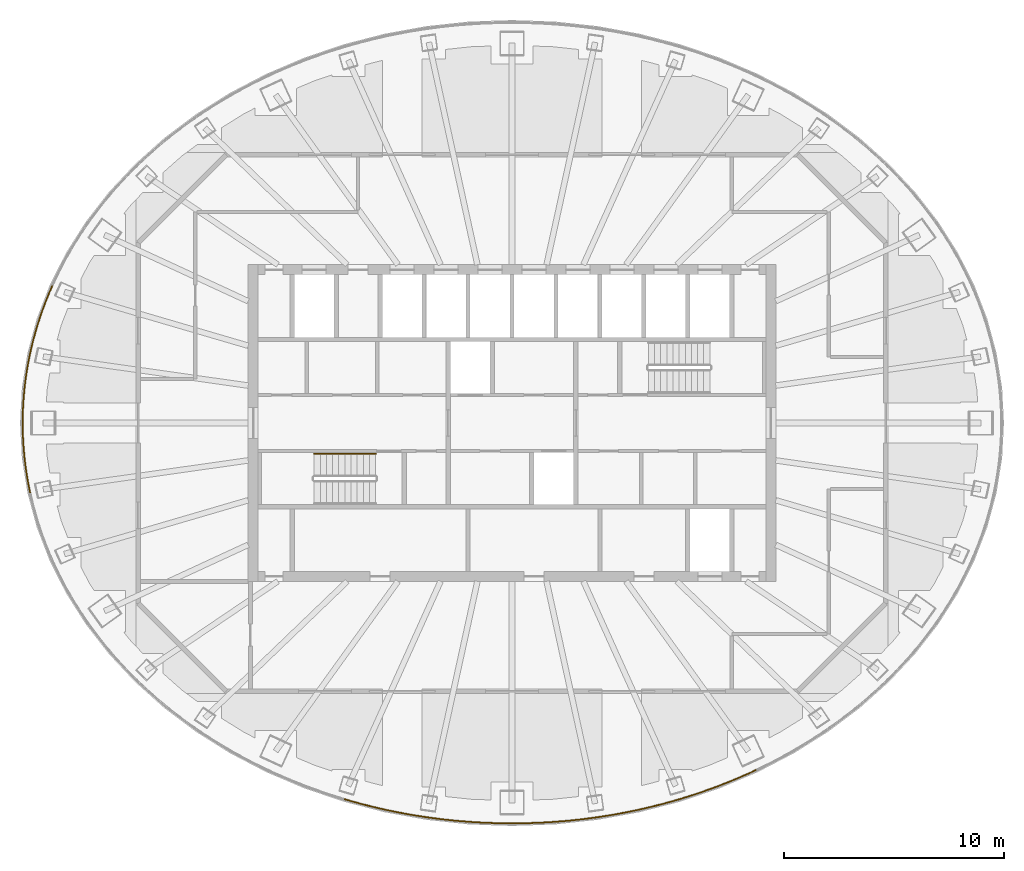
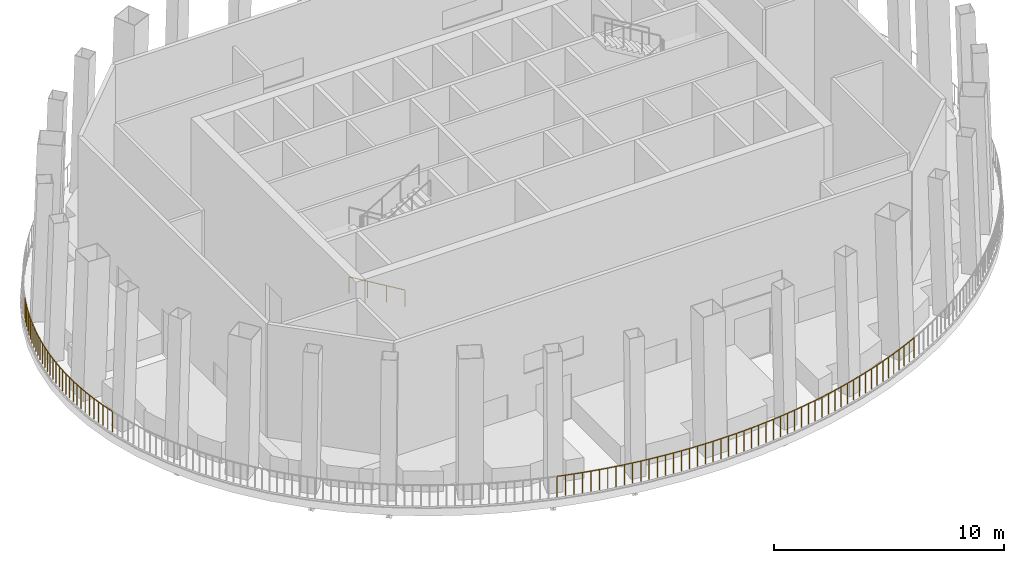
# One storey, part 8 of 12: 9 railings.
"""IFC4 building model written with IfcOpenShell, lengths in metres."""

from ifc_helpers import new_model, si_unit, direction, frame, origin, origin_2d, place, context, subcontext, project, spatial, circle, extrude, material, type_object, element, save


model = new_model("IFC4")

# Units and contexts
model_context = context("Model", 3, precision=1e-05, world=origin(), true_north=direction((0.0, 1.0)))
body_context = subcontext(model_context, "Body", "Model", "MODEL_VIEW")
ifc_project = project(units=[si_unit("LENGTHUNIT", "METRE"), si_unit("AREAUNIT", "SQUARE_METRE"), si_unit("VOLUMEUNIT", "CUBIC_METRE"), si_unit("PLANEANGLEUNIT", "RADIAN"), si_unit("MASSUNIT", "GRAM", prefix="KILO")], contexts=[model_context])

# Site, building, storey
site_placement = place(None, origin())
site = spatial("IfcSite", under=ifc_project, at=site_placement, CompositionType="ELEMENT")
building_placement = place(site_placement, origin())
building = spatial("IfcBuilding", under=site, at=building_placement, Name="Siaravel Broadcast Tower", CompositionType="ELEMENT")
storey_placement = place(building_placement, frame((0.0, 0.0, 205.199951171875)))
storey = spatial("IfcBuildingStorey", under=building, at=storey_placement, Name="L50", CompositionType="ELEMENT", Elevation=205.199951171875)

# Railings
ifc_material_1 = material(Name="Steel S355", Category="steel")
railing_type_1 = type_object("IfcRailingType", Name="Guard 1100", PredefinedType="GUARDRAIL", material=ifc_material_1)
railing_1_placement = place(storey_placement, frame((-20.913818359375, 6.227783203125, 0.080078125)))
element("IfcRailing", 1, at=railing_1_placement, inside=storey, type_object=railing_type_1, Name="L50 sky garden guard 17", PredefinedType="GUARDRAIL", context=body_context, shape_type="SweptSolid", body=[
    extrude(circle(Radius=0.02392578125, at=origin_2d()), frame((0.0, 0.0, 1.076171875), z_axis=(-0.397523557, -0.917591969, 0.0), x_axis=(0.917591969, -0.397523557, 0.0)), (0.0, 0.0, 1.0), 0.32666015625),
    extrude(circle(Radius=0.02392578125, at=origin_2d()), frame((-0.1298828125, -0.2998046875, 1.076171875), z_axis=(-0.378106972, -0.925761912, 0.0), x_axis=(0.925761912, -0.378106972, 0.0)), (0.0, 0.0, 1.0), 0.325439453125),
    extrude(circle(Radius=0.02392578125, at=origin_2d()), frame((-0.2529296875, -0.60107421875, 1.076171875), z_axis=(-0.360087073, -0.9329187, 0.0), x_axis=(0.9329187, -0.360087073, 0.0)), (0.0, 0.0, 1.0), 0.32470703125),
    extrude(circle(Radius=0.02392578125, at=origin_2d()), frame((-0.369873046875, -0.904052734375, 1.076171875), z_axis=(-0.339866672, -0.940473628, 0.0), x_axis=(0.940473628, -0.339866672, 0.0)), (0.0, 0.0, 1.0), 0.323974609375),
    extrude(circle(Radius=0.02392578125, at=origin_2d()), frame((-0.47998046875, -1.208740234375, 1.076171875), z_axis=(-0.321429253, -0.946933596, 0.0), x_axis=(0.946933596, -0.321429253, 0.0)), (0.0, 0.0, 1.0), 0.323486328125),
    extrude(circle(Radius=0.02392578125, at=origin_2d()), frame((-0.583984375, -1.51513671875, 1.076171875), z_axis=(-0.301203806, -0.953559787, 0.0), x_axis=(0.953559787, -0.301203806, 0.0)), (0.0, 0.0, 1.0), 0.322509765625),
    extrude(circle(Radius=0.02392578125, at=origin_2d()), frame((-0.68115234375, -1.82275390625, 1.076171875), z_axis=(-0.281920134, -0.959437876, 0.0), x_axis=(0.959437876, -0.281920134, 0.0)), (0.0, 0.0, 1.0), 0.322265625),
    extrude(circle(Radius=0.02392578125, at=origin_2d()), frame((-0.77197265625, -2.1318359375, 1.076171875), z_axis=(-0.261444979, -0.965218381, 0.0), x_axis=(0.965218381, -0.261444979, 0.0)), (0.0, 0.0, 1.0), 0.3212890625),
    extrude(circle(Radius=0.02392578125, at=origin_2d()), frame((-0.85595703125, -2.44189453125, 1.076171875), z_axis=(-0.241103682, -0.970499363, 0.0), x_axis=(0.970499363, -0.241103682, 0.0)), (0.0, 0.0, 1.0), 0.321044921875),
    extrude(circle(Radius=0.02392578125, at=origin_2d()), frame((-0.933349609375, -2.75341796875, 1.076171875), z_axis=(-0.220962402, -0.975282327, 0.0), x_axis=(0.975282327, -0.220962402, 0.0)), (0.0, 0.0, 1.0), 0.3203125),
    extrude(circle(Radius=0.02099609375, at=origin_2d()), origin(), (0.0, 0.0, 1.0), 1.052001953125),
    extrude(circle(Radius=0.02099609375, at=origin_2d()), frame((-0.1298828125, -0.2998046875, 0.0)), (0.0, 0.0, 1.0), 1.052001953125),
    extrude(circle(Radius=0.02099609375, at=origin_2d()), frame((-0.2529296875, -0.60107421875, 0.0)), (0.0, 0.0, 1.0), 1.052001953125),
    extrude(circle(Radius=0.02099609375, at=origin_2d()), frame((-0.369873046875, -0.904052734375, 0.0)), (0.0, 0.0, 1.0), 1.052001953125),
    extrude(circle(Radius=0.02099609375, at=origin_2d()), frame((-0.47998046875, -1.208740234375, 0.0)), (0.0, 0.0, 1.0), 1.052001953125),
    extrude(circle(Radius=0.02099609375, at=origin_2d()), frame((-0.583984375, -1.51513671875, 0.0)), (0.0, 0.0, 1.0), 1.052001953125),
    extrude(circle(Radius=0.02099609375, at=origin_2d()), frame((-0.68115234375, -1.82275390625, 0.0)), (0.0, 0.0, 1.0), 1.052001953125),
    extrude(circle(Radius=0.02099609375, at=origin_2d()), frame((-0.77197265625, -2.1318359375, 0.0)), (0.0, 0.0, 1.0), 1.052001953125),
    extrude(circle(Radius=0.02099609375, at=origin_2d()), frame((-0.85595703125, -2.44189453125, 0.0)), (0.0, 0.0, 1.0), 1.052001953125),
    extrude(circle(Radius=0.02099609375, at=origin_2d()), frame((-0.933349609375, -2.75341796875, 0.0)), (0.0, 0.0, 1.0), 1.052001953125),
    extrude(circle(Radius=0.02099609375, at=origin_2d()), frame((-1.004150390625, -3.06591796875, 0.0)), (0.0, 0.0, 1.0), 1.052001953125),
])
railing_2_placement = place(storey_placement, frame((-21.91796875, 3.161865234375, 0.080078125)))
element("IfcRailing", 2, at=railing_2_placement, inside=storey, type_object=railing_type_1, Name="L50 sky garden guard 18", PredefinedType="GUARDRAIL", context=body_context, shape_type="SweptSolid", body=[
    extrude(circle(Radius=0.02392578125, at=origin_2d()), frame((0.0, 0.0, 1.076171875), z_axis=(-0.200662533, -0.979660425, 0.0), x_axis=(0.979660425, -0.200662533, 0.0)), (0.0, 0.0, 1.0), 0.320068359375),
    extrude(circle(Radius=0.02392578125, at=origin_2d()), frame((-0.064208984375, -0.3134765625, 1.076171875), z_axis=(-0.179625291, -0.983735104, 0.0), x_axis=(0.983735104, -0.179625291, 0.0)), (0.0, 0.0, 1.0), 0.3193359375),
    extrude(circle(Radius=0.02392578125, at=origin_2d()), frame((-0.12158203125, -0.627685546875, 1.076171875), z_axis=(-0.158318615, -0.987388078, 0.0), x_axis=(0.987388078, -0.158318615, 0.0)), (0.0, 0.0, 1.0), 0.319091796875),
    extrude(circle(Radius=0.02392578125, at=origin_2d()), frame((-0.172119140625, -0.94287109375, 1.076171875), z_axis=(-0.13863282, -0.99034385, 0.0), x_axis=(0.99034385, -0.13863282, 0.0)), (0.0, 0.0, 1.0), 0.31884765625),
    extrude(circle(Radius=0.02392578125, at=origin_2d()), frame((-0.21630859375, -1.258544921875, 1.076171875), z_axis=(-0.116485527, -0.993192389, 0.0), x_axis=(0.993192389, -0.116485527, 0.0)), (0.0, 0.0, 1.0), 0.318603515625),
    extrude(circle(Radius=0.02392578125, at=origin_2d()), frame((-0.25341796875, -1.574951171875, 1.076171875), z_axis=(-0.095931757, -0.995387913, 0.0), x_axis=(0.995387913, -0.095931757, 0.0)), (0.0, 0.0, 1.0), 0.318115234375),
    extrude(circle(Radius=0.02392578125, at=origin_2d()), frame((-0.283935546875, -1.8916015625, 1.076171875), z_axis=(-0.074408539, -0.997227842, 0.0), x_axis=(0.997227842, -0.074408539, 0.0)), (0.0, 0.0, 1.0), 0.318359375),
    extrude(circle(Radius=0.02392578125, at=origin_2d()), frame((-0.3076171875, -2.208984375, 1.076171875), z_axis=(-0.053002318, -0.998594389, 0.0), x_axis=(0.998594389, -0.053002318, 0.0)), (0.0, 0.0, 1.0), 0.31787109375),
    extrude(circle(Radius=0.02392578125, at=origin_2d()), frame((-0.324462890625, -2.5263671875, 1.076171875), z_axis=(-0.03226605, -0.999479315, 0.0), x_axis=(0.999479315, -0.03226605, 0.0)), (0.0, 0.0, 1.0), 0.31787109375),
    extrude(circle(Radius=0.02392578125, at=origin_2d()), frame((-0.334716796875, -2.843994140625, 1.076171875), z_axis=(-0.010752067, -0.999942195, 0.0), x_axis=(0.999942195, -0.010752067, 0.0)), (0.0, 0.0, 1.0), 0.31787109375),
    extrude(circle(Radius=0.02099609375, at=origin_2d()), origin(), (0.0, 0.0, 1.0), 1.052001953125),
    extrude(circle(Radius=0.02099609375, at=origin_2d()), frame((-0.064208984375, -0.3134765625, 0.0)), (0.0, 0.0, 1.0), 1.052001953125),
    extrude(circle(Radius=0.02099609375, at=origin_2d()), frame((-0.12158203125, -0.627685546875, 0.0)), (0.0, 0.0, 1.0), 1.052001953125),
    extrude(circle(Radius=0.02099609375, at=origin_2d()), frame((-0.172119140625, -0.94287109375, 0.0)), (0.0, 0.0, 1.0), 1.052001953125),
    extrude(circle(Radius=0.02099609375, at=origin_2d()), frame((-0.21630859375, -1.258544921875, 0.0)), (0.0, 0.0, 1.0), 1.052001953125),
    extrude(circle(Radius=0.02099609375, at=origin_2d()), frame((-0.25341796875, -1.574951171875, 0.0)), (0.0, 0.0, 1.0), 1.052001953125),
    extrude(circle(Radius=0.02099609375, at=origin_2d()), frame((-0.283935546875, -1.8916015625, 0.0)), (0.0, 0.0, 1.0), 1.052001953125),
    extrude(circle(Radius=0.02099609375, at=origin_2d()), frame((-0.3076171875, -2.208984375, 0.0)), (0.0, 0.0, 1.0), 1.052001953125),
    extrude(circle(Radius=0.02099609375, at=origin_2d()), frame((-0.324462890625, -2.5263671875, 0.0)), (0.0, 0.0, 1.0), 1.052001953125),
    extrude(circle(Radius=0.02099609375, at=origin_2d()), frame((-0.334716796875, -2.843994140625, 0.0)), (0.0, 0.0, 1.0), 1.052001953125),
    extrude(circle(Radius=0.02099609375, at=origin_2d()), frame((-0.338134765625, -3.161865234375, 0.0)), (0.0, 0.0, 1.0), 1.052001953125),
])
railing_3_placement = place(storey_placement, frame((-22.256103515625, 0.0, 0.080078125)))
element("IfcRailing", 3, at=railing_3_placement, inside=storey, type_object=railing_type_1, Name="L50 sky garden guard 19", PredefinedType="GUARDRAIL", context=body_context, shape_type="SweptSolid", body=[
    extrude(circle(Radius=0.02392578125, at=origin_2d()), frame((0.0, 0.0, 1.076171875), z_axis=(0.010752067, -0.999942195, 0.0), x_axis=(0.999942195, 0.010752067, 0.0)), (0.0, 0.0, 1.0), 0.31787109375),
    extrude(circle(Radius=0.02392578125, at=origin_2d()), frame((0.00341796875, -0.31787109375, 1.076171875), z_axis=(0.03226605, -0.999479315, 0.0), x_axis=(0.999479315, 0.03226605, 0.0)), (0.0, 0.0, 1.0), 0.31787109375),
    extrude(circle(Radius=0.02392578125, at=origin_2d()), frame((0.013671875, -0.635498046875, 1.076171875), z_axis=(0.053002318, -0.998594389, 0.0), x_axis=(0.998594389, 0.053002318, 0.0)), (0.0, 0.0, 1.0), 0.31787109375),
    extrude(circle(Radius=0.02392578125, at=origin_2d()), frame((0.030517578125, -0.952880859375, 1.076171875), z_axis=(0.074408539, -0.997227842, 0.0), x_axis=(0.997227842, 0.074408539, 0.0)), (0.0, 0.0, 1.0), 0.318359375),
    extrude(circle(Radius=0.02392578125, at=origin_2d()), frame((0.05419921875, -1.270263671875, 1.076171875), z_axis=(0.095931757, -0.995387913, 0.0), x_axis=(0.995387913, 0.095931757, 0.0)), (0.0, 0.0, 1.0), 0.318115234375),
    extrude(circle(Radius=0.02392578125, at=origin_2d()), frame((0.084716796875, -1.5869140625, 1.076171875), z_axis=(0.116485527, -0.993192389, 0.0), x_axis=(0.993192389, 0.116485527, 0.0)), (0.0, 0.0, 1.0), 0.318603515625),
    extrude(circle(Radius=0.02392578125, at=origin_2d()), frame((0.121826171875, -1.9033203125, 1.076171875), z_axis=(0.13863282, -0.99034385, 0.0), x_axis=(0.99034385, 0.13863282, 0.0)), (0.0, 0.0, 1.0), 0.31884765625),
    extrude(circle(Radius=0.02392578125, at=origin_2d()), frame((0.166015625, -2.218994140625, 1.076171875), z_axis=(0.158318615, -0.987388078, 0.0), x_axis=(0.987388078, 0.158318615, 0.0)), (0.0, 0.0, 1.0), 0.319091796875),
    extrude(circle(Radius=0.02392578125, at=origin_2d()), frame((0.216552734375, -2.5341796875, 1.076171875), z_axis=(0.179625291, -0.983735104, 0.0), x_axis=(0.983735104, 0.179625291, 0.0)), (0.0, 0.0, 1.0), 0.3193359375),
    extrude(circle(Radius=0.02392578125, at=origin_2d()), frame((0.27392578125, -2.848388671875, 1.076171875), z_axis=(0.200662533, -0.979660425, 0.0), x_axis=(0.979660425, 0.200662533, 0.0)), (0.0, 0.0, 1.0), 0.320068359375),
    extrude(circle(Radius=0.02099609375, at=origin_2d()), origin(), (0.0, 0.0, 1.0), 1.052001953125),
    extrude(circle(Radius=0.02099609375, at=origin_2d()), frame((0.00341796875, -0.31787109375, 0.0)), (0.0, 0.0, 1.0), 1.052001953125),
    extrude(circle(Radius=0.02099609375, at=origin_2d()), frame((0.013671875, -0.635498046875, 0.0)), (0.0, 0.0, 1.0), 1.052001953125),
    extrude(circle(Radius=0.02099609375, at=origin_2d()), frame((0.030517578125, -0.952880859375, 0.0)), (0.0, 0.0, 1.0), 1.052001953125),
    extrude(circle(Radius=0.02099609375, at=origin_2d()), frame((0.05419921875, -1.270263671875, 0.0)), (0.0, 0.0, 1.0), 1.052001953125),
    extrude(circle(Radius=0.02099609375, at=origin_2d()), frame((0.084716796875, -1.5869140625, 0.0)), (0.0, 0.0, 1.0), 1.052001953125),
    extrude(circle(Radius=0.02099609375, at=origin_2d()), frame((0.121826171875, -1.9033203125, 0.0)), (0.0, 0.0, 1.0), 1.052001953125),
    extrude(circle(Radius=0.02099609375, at=origin_2d()), frame((0.166015625, -2.218994140625, 0.0)), (0.0, 0.0, 1.0), 1.052001953125),
    extrude(circle(Radius=0.02099609375, at=origin_2d()), frame((0.216552734375, -2.5341796875, 0.0)), (0.0, 0.0, 1.0), 1.052001953125),
    extrude(circle(Radius=0.02099609375, at=origin_2d()), frame((0.27392578125, -2.848388671875, 0.0)), (0.0, 0.0, 1.0), 1.052001953125),
    extrude(circle(Radius=0.02099609375, at=origin_2d()), frame((0.338134765625, -3.161865234375, 0.0)), (0.0, 0.0, 1.0), 1.052001953125),
])
railing_4_placement = place(storey_placement, frame((-7.612060546875, -17.110595703125, 0.080078125)))
element("IfcRailing", 4, at=railing_4_placement, inside=storey, type_object=railing_type_1, Name="L50 sky garden guard 26", PredefinedType="GUARDRAIL", context=body_context, shape_type="SweptSolid", body=[
    extrude(circle(Radius=0.02392578125, at=origin_2d()), frame((0.0, 0.0, 1.076171875), z_axis=(0.960600266, -0.277933677, 0.0), x_axis=(0.277933677, 0.960600266, 0.0)), (0.0, 0.0, 1.0), 0.38134765625),
    extrude(circle(Radius=0.02392578125, at=origin_2d()), frame((0.3662109375, -0.10595703125, 1.076171875), z_axis=(0.964527427, -0.263982656, 0.0), x_axis=(0.263982656, 0.964527427, 0.0)), (0.0, 0.0, 1.0), 0.3818359375),
    extrude(circle(Radius=0.02392578125, at=origin_2d()), frame((0.734619140625, -0.206787109375, 1.076171875), z_axis=(0.968197573, -0.250186848, 0.0), x_axis=(0.250186848, 0.968197573, 0.0)), (0.0, 0.0, 1.0), 0.382568359375),
    extrude(circle(Radius=0.02392578125, at=origin_2d()), frame((1.10498046875, -0.302490234375, 1.076171875), z_axis=(0.971986944, -0.235034851, 0.0), x_axis=(0.235034851, 0.971986944, 0.0)), (0.0, 0.0, 1.0), 0.38330078125),
    extrude(circle(Radius=0.02392578125, at=origin_2d()), frame((1.4775390625, -0.392578125, 1.076171875), z_axis=(0.975189064, -0.221373643, 0.0), x_axis=(0.221373643, 0.975189064, 0.0)), (0.0, 0.0, 1.0), 0.3837890625),
    extrude(circle(Radius=0.02392578125, at=origin_2d()), frame((1.851806640625, -0.4775390625, 1.076171875), z_axis=(0.97832001, -0.207098911, 0.0), x_axis=(0.207098911, 0.97832001, 0.0)), (0.0, 0.0, 1.0), 0.38427734375),
    extrude(circle(Radius=0.02392578125, at=origin_2d()), frame((2.227783203125, -0.55712890625, 1.076171875), z_axis=(0.981233822, -0.192821643, 0.0), x_axis=(0.192821643, 0.981233822, 0.0)), (0.0, 0.0, 1.0), 0.385009765625),
    extrude(circle(Radius=0.02392578125, at=origin_2d()), frame((2.60546875, -0.63134765625, 1.076171875), z_axis=(0.983930637, -0.178551119, 0.0), x_axis=(0.178551119, 0.983930637, 0.0)), (0.0, 0.0, 1.0), 0.385498046875),
    extrude(circle(Radius=0.02392578125, at=origin_2d()), frame((2.98486328125, -0.7001953125, 1.076171875), z_axis=(0.986479299, -0.163885913, 0.0), x_axis=(0.163885913, 0.986479299, 0.0)), (0.0, 0.0, 1.0), 0.3857421875),
    extrude(circle(Radius=0.02392578125, at=origin_2d()), frame((3.365478515625, -0.763427734375, 1.076171875), z_axis=(0.988712667, -0.149824106, 0.0), x_axis=(0.149824106, 0.988712667, 0.0)), (0.0, 0.0, 1.0), 0.38623046875),
    extrude(circle(Radius=0.02099609375, at=origin_2d()), origin(), (0.0, 0.0, 1.0), 1.052001953125),
    extrude(circle(Radius=0.02099609375, at=origin_2d()), frame((0.3662109375, -0.10595703125, 0.0)), (0.0, 0.0, 1.0), 1.052001953125),
    extrude(circle(Radius=0.02099609375, at=origin_2d()), frame((0.734619140625, -0.206787109375, 0.0)), (0.0, 0.0, 1.0), 1.052001953125),
    extrude(circle(Radius=0.02099609375, at=origin_2d()), frame((1.10498046875, -0.302490234375, 0.0)), (0.0, 0.0, 1.0), 1.052001953125),
    extrude(circle(Radius=0.02099609375, at=origin_2d()), frame((1.4775390625, -0.392578125, 0.0)), (0.0, 0.0, 1.0), 1.052001953125),
    extrude(circle(Radius=0.02099609375, at=origin_2d()), frame((1.851806640625, -0.4775390625, 0.0)), (0.0, 0.0, 1.0), 1.052001953125),
    extrude(circle(Radius=0.02099609375, at=origin_2d()), frame((2.227783203125, -0.55712890625, 0.0)), (0.0, 0.0, 1.0), 1.052001953125),
    extrude(circle(Radius=0.02099609375, at=origin_2d()), frame((2.60546875, -0.63134765625, 0.0)), (0.0, 0.0, 1.0), 1.052001953125),
    extrude(circle(Radius=0.02099609375, at=origin_2d()), frame((2.98486328125, -0.7001953125, 0.0)), (0.0, 0.0, 1.0), 1.052001953125),
    extrude(circle(Radius=0.02099609375, at=origin_2d()), frame((3.365478515625, -0.763427734375, 0.0)), (0.0, 0.0, 1.0), 1.052001953125),
    extrude(circle(Radius=0.02099609375, at=origin_2d()), frame((3.747314453125, -0.8212890625, 0.0)), (0.0, 0.0, 1.0), 1.052001953125),
])
railing_5_placement = place(storey_placement, frame((-3.86474609375, -17.931884765625, 0.080078125)))
element("IfcRailing", 5, at=railing_5_placement, inside=storey, type_object=railing_type_1, Name="L50 sky garden guard 27", PredefinedType="GUARDRAIL", context=body_context, shape_type="SweptSolid", body=[
    extrude(circle(Radius=0.02392578125, at=origin_2d()), frame((0.0, 0.0, 1.076171875), z_axis=(0.990741579, -0.135761274, 0.0), x_axis=(0.135761274, 0.990741579, 0.0)), (0.0, 0.0, 1.0), 0.38671875),
    extrude(circle(Radius=0.02392578125, at=origin_2d()), frame((0.383056640625, -0.052490234375, 1.076171875), z_axis=(0.992566192, -0.12170602, 0.0), x_axis=(0.12170602, 0.992566192, 0.0)), (0.0, 0.0, 1.0), 0.38720703125),
    extrude(circle(Radius=0.02392578125, at=origin_2d()), frame((0.767333984375, -0.099609375, 1.076171875), z_axis=(0.994239776, -0.10717867, 0.0), x_axis=(0.10717867, 0.994239776, 0.0)), (0.0, 0.0, 1.0), 0.38720703125),
    extrude(circle(Radius=0.02392578125, at=origin_2d()), frame((1.15234375, -0.14111328125, 1.076171875), z_axis=(0.995705267, -0.092579807, 0.0), x_axis=(0.092579807, 0.995705267, 0.0)), (0.0, 0.0, 1.0), 0.3876953125),
    extrude(circle(Radius=0.02392578125, at=origin_2d()), frame((1.538330078125, -0.177001953125, 1.076171875), z_axis=(0.996900747, -0.078669567, 0.0), x_axis=(0.078669567, 0.996900747, 0.0)), (0.0, 0.0, 1.0), 0.387939453125),
    extrude(circle(Radius=0.02392578125, at=origin_2d()), frame((1.925048828125, -0.20751953125, 1.076171875), z_axis=(0.997938329, -0.064180145, 0.0), x_axis=(0.064180145, 0.997938329, 0.0)), (0.0, 0.0, 1.0), 0.387939453125),
    extrude(circle(Radius=0.02392578125, at=origin_2d()), frame((2.312255859375, -0.232421875, 1.076171875), z_axis=(0.998764855, -0.049686665, 0.0), x_axis=(0.049686665, 0.998764855, 0.0)), (0.0, 0.0, 1.0), 0.38818359375),
    extrude(circle(Radius=0.02392578125, at=origin_2d()), frame((2.699951171875, -0.251708984375, 1.076171875), z_axis=(0.999358041, -0.035826043, 0.0), x_axis=(0.035826043, 0.999358041, 0.0)), (0.0, 0.0, 1.0), 0.388427734375),
    extrude(circle(Radius=0.02392578125, at=origin_2d()), frame((3.088134765625, -0.265625, 1.076171875), z_axis=(0.999771448, -0.021378761, 0.0), x_axis=(0.021378761, 0.999771448, 0.0)), (0.0, 0.0, 1.0), 0.38818359375),
    extrude(circle(Radius=0.02392578125, at=origin_2d()), frame((3.476318359375, -0.27392578125, 1.076171875), z_axis=(0.9999761, -0.006913725, 0.0), x_axis=(0.006913725, 0.9999761, 0.0)), (0.0, 0.0, 1.0), 0.388427734375),
    extrude(circle(Radius=0.02099609375, at=origin_2d()), origin(), (0.0, 0.0, 1.0), 1.052001953125),
    extrude(circle(Radius=0.02099609375, at=origin_2d()), frame((0.383056640625, -0.052490234375, 0.0)), (0.0, 0.0, 1.0), 1.052001953125),
    extrude(circle(Radius=0.02099609375, at=origin_2d()), frame((0.767333984375, -0.099609375, 0.0)), (0.0, 0.0, 1.0), 1.052001953125),
    extrude(circle(Radius=0.02099609375, at=origin_2d()), frame((1.15234375, -0.14111328125, 0.0)), (0.0, 0.0, 1.0), 1.052001953125),
    extrude(circle(Radius=0.02099609375, at=origin_2d()), frame((1.538330078125, -0.177001953125, 0.0)), (0.0, 0.0, 1.0), 1.052001953125),
    extrude(circle(Radius=0.02099609375, at=origin_2d()), frame((1.925048828125, -0.20751953125, 0.0)), (0.0, 0.0, 1.0), 1.052001953125),
    extrude(circle(Radius=0.02099609375, at=origin_2d()), frame((2.312255859375, -0.232421875, 0.0)), (0.0, 0.0, 1.0), 1.052001953125),
    extrude(circle(Radius=0.02099609375, at=origin_2d()), frame((2.699951171875, -0.251708984375, 0.0)), (0.0, 0.0, 1.0), 1.052001953125),
    extrude(circle(Radius=0.02099609375, at=origin_2d()), frame((3.088134765625, -0.265625, 0.0)), (0.0, 0.0, 1.0), 1.052001953125),
    extrude(circle(Radius=0.02099609375, at=origin_2d()), frame((3.476318359375, -0.27392578125, 0.0)), (0.0, 0.0, 1.0), 1.052001953125),
    extrude(circle(Radius=0.02099609375, at=origin_2d()), frame((3.86474609375, -0.276611328125, 0.0)), (0.0, 0.0, 1.0), 1.052001953125),
])
railing_6_placement = place(storey_placement, frame((0.0, -18.20849609375, 0.080078125)))
element("IfcRailing", 6, at=railing_6_placement, inside=storey, type_object=railing_type_1, Name="L50 sky garden guard 28", PredefinedType="GUARDRAIL", context=body_context, shape_type="SweptSolid", body=[
    extrude(circle(Radius=0.02392578125, at=origin_2d()), frame((0.0, 0.0, 1.076171875), z_axis=(0.9999761, 0.006913725, 0.0), x_axis=(-0.006913725, 0.9999761, 0.0)), (0.0, 0.0, 1.0), 0.388427734375),
    extrude(circle(Radius=0.02392578125, at=origin_2d()), frame((0.388427734375, 0.002685546875, 1.076171875), z_axis=(0.999771448, 0.021378761, 0.0), x_axis=(-0.021378761, 0.999771448, 0.0)), (0.0, 0.0, 1.0), 0.38818359375),
    extrude(circle(Radius=0.02392578125, at=origin_2d()), frame((0.776611328125, 0.010986328125, 1.076171875), z_axis=(0.999358041, 0.035826043, 0.0), x_axis=(-0.035826043, 0.999358041, 0.0)), (0.0, 0.0, 1.0), 0.388427734375),
    extrude(circle(Radius=0.02392578125, at=origin_2d()), frame((1.164794921875, 0.02490234375, 1.076171875), z_axis=(0.998764855, 0.049686665, 0.0), x_axis=(-0.049686665, 0.998764855, 0.0)), (0.0, 0.0, 1.0), 0.38818359375),
    extrude(circle(Radius=0.02392578125, at=origin_2d()), frame((1.552490234375, 0.044189453125, 1.076171875), z_axis=(0.997938329, 0.064180145, 0.0), x_axis=(-0.064180145, 0.997938329, 0.0)), (0.0, 0.0, 1.0), 0.387939453125),
    extrude(circle(Radius=0.02392578125, at=origin_2d()), frame((1.939697265625, 0.069091796875, 1.076171875), z_axis=(0.996900747, 0.078669567, 0.0), x_axis=(-0.078669567, 0.996900747, 0.0)), (0.0, 0.0, 1.0), 0.387939453125),
    extrude(circle(Radius=0.02392578125, at=origin_2d()), frame((2.326416015625, 0.099609375, 1.076171875), z_axis=(0.995705267, 0.092579807, 0.0), x_axis=(-0.092579807, 0.995705267, 0.0)), (0.0, 0.0, 1.0), 0.3876953125),
    extrude(circle(Radius=0.02392578125, at=origin_2d()), frame((2.71240234375, 0.135498046875, 1.076171875), z_axis=(0.994239776, 0.10717867, 0.0), x_axis=(-0.10717867, 0.994239776, 0.0)), (0.0, 0.0, 1.0), 0.38720703125),
    extrude(circle(Radius=0.02392578125, at=origin_2d()), frame((3.097412109375, 0.177001953125, 1.076171875), z_axis=(0.992566192, 0.12170602, 0.0), x_axis=(-0.12170602, 0.992566192, 0.0)), (0.0, 0.0, 1.0), 0.38720703125),
    extrude(circle(Radius=0.02392578125, at=origin_2d()), frame((3.481689453125, 0.22412109375, 1.076171875), z_axis=(0.990741579, 0.135761274, 0.0), x_axis=(-0.135761274, 0.990741579, 0.0)), (0.0, 0.0, 1.0), 0.38671875),
    extrude(circle(Radius=0.02099609375, at=origin_2d()), origin(), (0.0, 0.0, 1.0), 1.052001953125),
    extrude(circle(Radius=0.02099609375, at=origin_2d()), frame((0.388427734375, 0.002685546875, 0.0)), (0.0, 0.0, 1.0), 1.052001953125),
    extrude(circle(Radius=0.02099609375, at=origin_2d()), frame((0.776611328125, 0.010986328125, 0.0)), (0.0, 0.0, 1.0), 1.052001953125),
    extrude(circle(Radius=0.02099609375, at=origin_2d()), frame((1.164794921875, 0.02490234375, 0.0)), (0.0, 0.0, 1.0), 1.052001953125),
    extrude(circle(Radius=0.02099609375, at=origin_2d()), frame((1.552490234375, 0.044189453125, 0.0)), (0.0, 0.0, 1.0), 1.052001953125),
    extrude(circle(Radius=0.02099609375, at=origin_2d()), frame((1.939697265625, 0.069091796875, 0.0)), (0.0, 0.0, 1.0), 1.052001953125),
    extrude(circle(Radius=0.02099609375, at=origin_2d()), frame((2.326416015625, 0.099609375, 0.0)), (0.0, 0.0, 1.0), 1.052001953125),
    extrude(circle(Radius=0.02099609375, at=origin_2d()), frame((2.71240234375, 0.135498046875, 0.0)), (0.0, 0.0, 1.0), 1.052001953125),
    extrude(circle(Radius=0.02099609375, at=origin_2d()), frame((3.097412109375, 0.177001953125, 0.0)), (0.0, 0.0, 1.0), 1.052001953125),
    extrude(circle(Radius=0.02099609375, at=origin_2d()), frame((3.481689453125, 0.22412109375, 0.0)), (0.0, 0.0, 1.0), 1.052001953125),
    extrude(circle(Radius=0.02099609375, at=origin_2d()), frame((3.86474609375, 0.276611328125, 0.0)), (0.0, 0.0, 1.0), 1.052001953125),
])
railing_7_placement = place(storey_placement, frame((3.86474609375, -17.931884765625, 0.080078125)))
element("IfcRailing", 7, at=railing_7_placement, inside=storey, type_object=railing_type_1, Name="L50 sky garden guard 29", PredefinedType="GUARDRAIL", context=body_context, shape_type="SweptSolid", body=[
    extrude(circle(Radius=0.02392578125, at=origin_2d()), frame((0.0, 0.0, 1.076171875), z_axis=(0.988712667, 0.149824106, 0.0), x_axis=(-0.149824106, 0.988712667, 0.0)), (0.0, 0.0, 1.0), 0.38623046875),
    extrude(circle(Radius=0.02392578125, at=origin_2d()), frame((0.3818359375, 0.057861328125, 1.076171875), z_axis=(0.986479299, 0.163885913, 0.0), x_axis=(-0.163885913, 0.986479299, 0.0)), (0.0, 0.0, 1.0), 0.3857421875),
    extrude(circle(Radius=0.02392578125, at=origin_2d()), frame((0.762451171875, 0.12109375, 1.076171875), z_axis=(0.983930637, 0.178551119, 0.0), x_axis=(-0.178551119, 0.983930637, 0.0)), (0.0, 0.0, 1.0), 0.385498046875),
    extrude(circle(Radius=0.02392578125, at=origin_2d()), frame((1.141845703125, 0.18994140625, 1.076171875), z_axis=(0.981233822, 0.192821643, 0.0), x_axis=(-0.192821643, 0.981233822, 0.0)), (0.0, 0.0, 1.0), 0.385009765625),
    extrude(circle(Radius=0.02392578125, at=origin_2d()), frame((1.51953125, 0.26416015625, 1.076171875), z_axis=(0.97832001, 0.207098911, 0.0), x_axis=(-0.207098911, 0.97832001, 0.0)), (0.0, 0.0, 1.0), 0.38427734375),
    extrude(circle(Radius=0.02392578125, at=origin_2d()), frame((1.8955078125, 0.34375, 1.076171875), z_axis=(0.975189064, 0.221373643, 0.0), x_axis=(-0.221373643, 0.975189064, 0.0)), (0.0, 0.0, 1.0), 0.3837890625),
    extrude(circle(Radius=0.02392578125, at=origin_2d()), frame((2.269775390625, 0.4287109375, 1.076171875), z_axis=(0.971986944, 0.235034851, 0.0), x_axis=(-0.235034851, 0.971986944, 0.0)), (0.0, 0.0, 1.0), 0.38330078125),
    extrude(circle(Radius=0.02392578125, at=origin_2d()), frame((2.642333984375, 0.518798828125, 1.076171875), z_axis=(0.968197573, 0.250186848, 0.0), x_axis=(-0.250186848, 0.968197573, 0.0)), (0.0, 0.0, 1.0), 0.382568359375),
    extrude(circle(Radius=0.02392578125, at=origin_2d()), frame((3.0126953125, 0.614501953125, 1.076171875), z_axis=(0.964527427, 0.263982656, 0.0), x_axis=(-0.263982656, 0.964527427, 0.0)), (0.0, 0.0, 1.0), 0.3818359375),
    extrude(circle(Radius=0.02392578125, at=origin_2d()), frame((3.381103515625, 0.71533203125, 1.076171875), z_axis=(0.960600266, 0.277933677, 0.0), x_axis=(-0.277933677, 0.960600266, 0.0)), (0.0, 0.0, 1.0), 0.38134765625),
    extrude(circle(Radius=0.02099609375, at=origin_2d()), origin(), (0.0, 0.0, 1.0), 1.052001953125),
    extrude(circle(Radius=0.02099609375, at=origin_2d()), frame((0.3818359375, 0.057861328125, 0.0)), (0.0, 0.0, 1.0), 1.052001953125),
    extrude(circle(Radius=0.02099609375, at=origin_2d()), frame((0.762451171875, 0.12109375, 0.0)), (0.0, 0.0, 1.0), 1.052001953125),
    extrude(circle(Radius=0.02099609375, at=origin_2d()), frame((1.141845703125, 0.18994140625, 0.0)), (0.0, 0.0, 1.0), 1.052001953125),
    extrude(circle(Radius=0.02099609375, at=origin_2d()), frame((1.51953125, 0.26416015625, 0.0)), (0.0, 0.0, 1.0), 1.052001953125),
    extrude(circle(Radius=0.02099609375, at=origin_2d()), frame((1.8955078125, 0.34375, 0.0)), (0.0, 0.0, 1.0), 1.052001953125),
    extrude(circle(Radius=0.02099609375, at=origin_2d()), frame((2.269775390625, 0.4287109375, 0.0)), (0.0, 0.0, 1.0), 1.052001953125),
    extrude(circle(Radius=0.02099609375, at=origin_2d()), frame((2.642333984375, 0.518798828125, 0.0)), (0.0, 0.0, 1.0), 1.052001953125),
    extrude(circle(Radius=0.02099609375, at=origin_2d()), frame((3.0126953125, 0.614501953125, 0.0)), (0.0, 0.0, 1.0), 1.052001953125),
    extrude(circle(Radius=0.02099609375, at=origin_2d()), frame((3.381103515625, 0.71533203125, 0.0)), (0.0, 0.0, 1.0), 1.052001953125),
    extrude(circle(Radius=0.02099609375, at=origin_2d()), frame((3.747314453125, 0.8212890625, 0.0)), (0.0, 0.0, 1.0), 1.052001953125),
])
railing_8_placement = place(storey_placement, frame((7.612060546875, -17.110595703125, 0.080078125)))
element("IfcRailing", 8, at=railing_8_placement, inside=storey, type_object=railing_type_1, Name="L50 sky garden guard 30", PredefinedType="GUARDRAIL", context=body_context, shape_type="SweptSolid", body=[
    extrude(circle(Radius=0.02392578125, at=origin_2d()), frame((0.0, 0.0, 1.076171875), z_axis=(0.956221948, 0.292642422, 0.0), x_axis=(-0.292642422, 0.956221948, 0.0)), (0.0, 0.0, 1.0), 0.38037109375),
    extrude(circle(Radius=0.02392578125, at=origin_2d()), frame((0.36376953125, 0.111328125, 1.076171875), z_axis=(0.951847843, 0.306570845, 0.0), x_axis=(-0.306570845, 0.951847843, 0.0)), (0.0, 0.0, 1.0), 0.3798828125),
    extrude(circle(Radius=0.02392578125, at=origin_2d()), frame((0.725341796875, 0.227783203125, 1.076171875), z_axis=(0.94692969, 0.321440759, 0.0), x_axis=(-0.321440759, 0.94692969, 0.0)), (0.0, 0.0, 1.0), 0.37890625),
    extrude(circle(Radius=0.02392578125, at=origin_2d()), frame((1.084228515625, 0.349609375, 1.076171875), z_axis=(0.942368633, 0.334576389, 0.0), x_axis=(-0.334576389, 0.942368633, 0.0)), (0.0, 0.0, 1.0), 0.3779296875),
    extrude(circle(Radius=0.02392578125, at=origin_2d()), frame((1.4404296875, 0.47607421875, 1.076171875), z_axis=(0.936886766, 0.349632933, 0.0), x_axis=(-0.349632933, 0.936886766, 0.0)), (0.0, 0.0, 1.0), 0.376953125),
    extrude(circle(Radius=0.02392578125, at=origin_2d()), frame((1.793701171875, 0.60791015625, 1.076171875), z_axis=(0.931443609, 0.3638857, 0.0), x_axis=(-0.3638857, 0.931443609, 0.0)), (0.0, 0.0, 1.0), 0.37646484375),
    extrude(circle(Radius=0.02392578125, at=origin_2d()), frame((2.144287109375, 0.744873046875, 1.076171875), z_axis=(0.926126022, 0.377214251, 0.0), x_axis=(-0.377214251, 0.926126022, 0.0)), (0.0, 0.0, 1.0), 0.37548828125),
    extrude(circle(Radius=0.02392578125, at=origin_2d()), frame((2.491943359375, 0.886474609375, 1.076171875), z_axis=(0.919784443, 0.392423979, 0.0), x_axis=(-0.392423979, 0.919784443, 0.0)), (0.0, 0.0, 1.0), 0.37451171875),
    extrude(circle(Radius=0.02392578125, at=origin_2d()), frame((2.83642578125, 1.033447265625, 1.076171875), z_axis=(0.914000038, 0.405714099, 0.0), x_axis=(-0.405714099, 0.914000038, 0.0)), (0.0, 0.0, 1.0), 0.373779296875),
    extrude(circle(Radius=0.02392578125, at=origin_2d()), frame((3.177978515625, 1.18505859375, 1.076171875), z_axis=(0.907517788, 0.420013648, 0.0), x_axis=(-0.420013648, 0.907517788, 0.0)), (0.0, 0.0, 1.0), 0.37255859375),
    extrude(circle(Radius=0.02099609375, at=origin_2d()), origin(), (0.0, 0.0, 1.0), 1.052001953125),
    extrude(circle(Radius=0.02099609375, at=origin_2d()), frame((0.36376953125, 0.111328125, 0.0)), (0.0, 0.0, 1.0), 1.052001953125),
    extrude(circle(Radius=0.02099609375, at=origin_2d()), frame((0.725341796875, 0.227783203125, 0.0)), (0.0, 0.0, 1.0), 1.052001953125),
    extrude(circle(Radius=0.02099609375, at=origin_2d()), frame((1.084228515625, 0.349609375, 0.0)), (0.0, 0.0, 1.0), 1.052001953125),
    extrude(circle(Radius=0.02099609375, at=origin_2d()), frame((1.4404296875, 0.47607421875, 0.0)), (0.0, 0.0, 1.0), 1.052001953125),
    extrude(circle(Radius=0.02099609375, at=origin_2d()), frame((1.793701171875, 0.60791015625, 0.0)), (0.0, 0.0, 1.0), 1.052001953125),
    extrude(circle(Radius=0.02099609375, at=origin_2d()), frame((2.144287109375, 0.744873046875, 0.0)), (0.0, 0.0, 1.0), 1.052001953125),
    extrude(circle(Radius=0.02099609375, at=origin_2d()), frame((2.491943359375, 0.886474609375, 0.0)), (0.0, 0.0, 1.0), 1.052001953125),
    extrude(circle(Radius=0.02099609375, at=origin_2d()), frame((2.83642578125, 1.033447265625, 0.0)), (0.0, 0.0, 1.0), 1.052001953125),
    extrude(circle(Radius=0.02099609375, at=origin_2d()), frame((3.177978515625, 1.18505859375, 0.0)), (0.0, 0.0, 1.0), 1.052001953125),
    extrude(circle(Radius=0.02099609375, at=origin_2d()), frame((3.51611328125, 1.341552734375, 0.0)), (0.0, 0.0, 1.0), 1.052001953125),
])
ifc_material_2 = material(Name="Stainless steel 316L", Category="steel")
railing_type_2 = type_object("IfcRailingType", Name="Stair handrail 900", PredefinedType="HANDRAIL", material=ifc_material_2)
railing_9_placement = place(storey_placement, frame((-6.199951171875, -1.39990234375, 0.168212890625)))
element("IfcRailing", 9, at=railing_9_placement, inside=storey, type_object=railing_type_2, Name="L50 ST-1 stair handrail 1", PredefinedType="HANDRAIL", context=body_context, shape_type="SweptSolid", body=[
    extrude(circle(Radius=0.02392578125, at=origin_2d()), frame((0.0, 0.0, 0.8759765625), z_axis=(-0.857242211, 0.0, 0.514913383), x_axis=(0.0, -1.0, 0.0)), (0.0, 0.0, 1.0), 3.266357421875),
    extrude(circle(Radius=0.02099609375, at=origin_2d()), origin(), (0.0, 0.0, 1.0), 0.851806640625),
    extrude(circle(Radius=0.02099609375, at=origin_2d()), frame((-0.933349609375, 0.0, 0.560546875)), (0.0, 0.0, 1.0), 0.851806640625),
    extrude(circle(Radius=0.02099609375, at=origin_2d()), frame((-1.86669921875, 0.0, 1.121337890625)), (0.0, 0.0, 1.0), 0.851806640625),
    extrude(circle(Radius=0.02099609375, at=origin_2d()), frame((-2.800048828125, 0.0, 1.681884765625)), (0.0, 0.0, 1.0), 0.851806640625),
])

save(model, "model.ifc")
